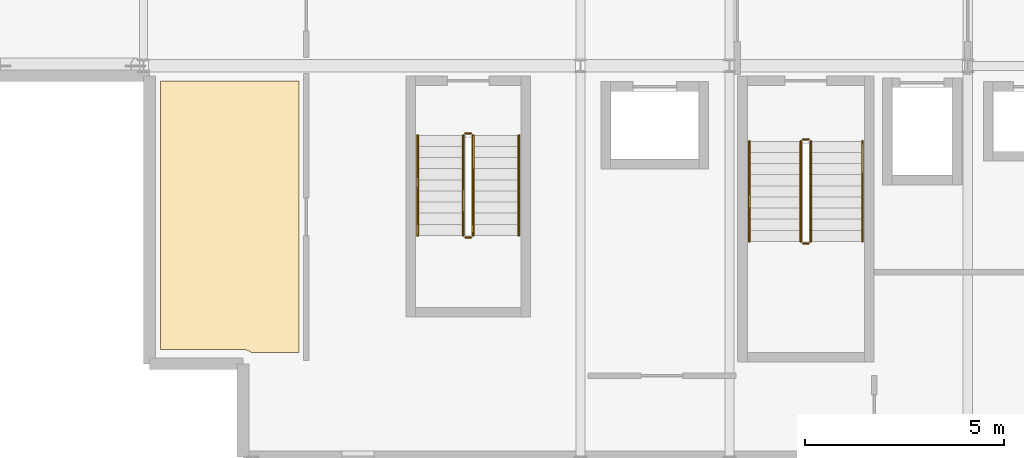
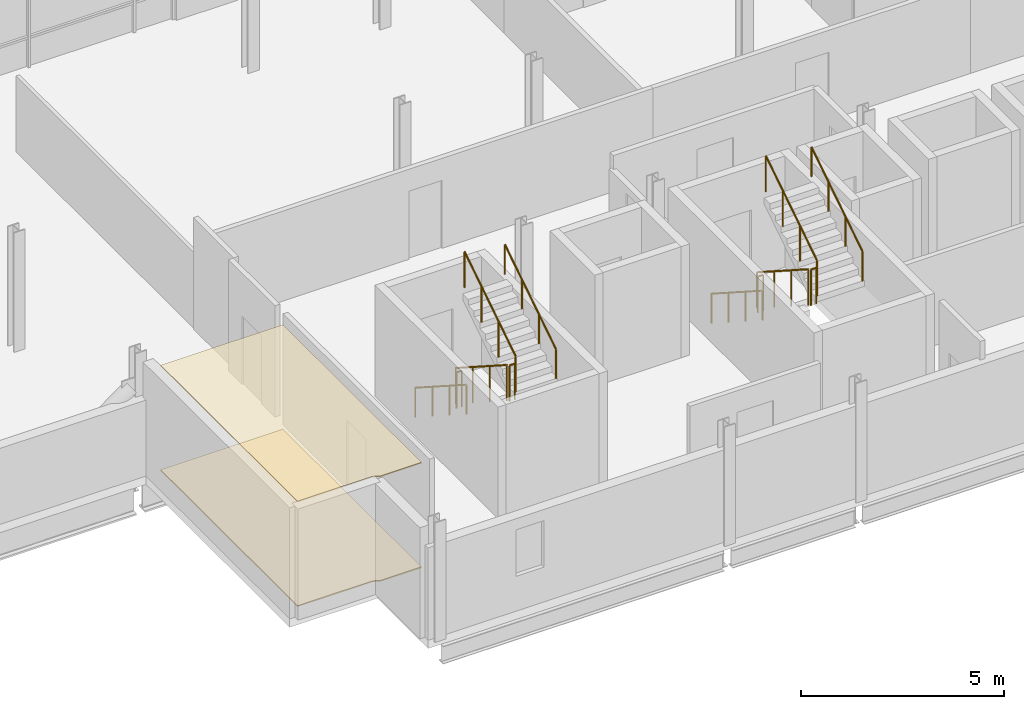
# One storey, part 17 of 18: 12 railings, 2 coverings.
"""IFC4 building model written with IfcOpenShell, lengths in metres."""

from ifc_helpers import new_model, si_unit, direction, frame, origin, origin_2d, place, context, subcontext, project, spatial, polyline, circle, outline, extrude, material, layer, layer_set, type_object, element, save


model = new_model("IFC4")

# Units and contexts
model_context = context("Model", 3, precision=1e-05, world=origin(), true_north=direction((0.0, 1.0)))
body_context = subcontext(model_context, "Body", "Model", "MODEL_VIEW")
ifc_project = project(units=[si_unit("LENGTHUNIT", "METRE"), si_unit("AREAUNIT", "SQUARE_METRE"), si_unit("VOLUMEUNIT", "CUBIC_METRE"), si_unit("PLANEANGLEUNIT", "RADIAN"), si_unit("MASSUNIT", "GRAM", prefix="KILO")], contexts=[model_context])

# Site, building, storey
site_placement = place(None, origin())
site = spatial("IfcSite", under=ifc_project, at=site_placement, CompositionType="ELEMENT")
building_placement = place(site_placement, origin())
building = spatial("IfcBuilding", under=site, at=building_placement, Name="Brevholm Reach", CompositionType="ELEMENT")
storey_placement = place(building_placement, frame((0.0, 0.0, 240.050048828125)))
storey = spatial("IfcBuildingStorey", under=building, at=storey_placement, Name="L73", CompositionType="ELEMENT", Elevation=240.050048828125)

# Coverings
ifc_material_1 = material(Name="Moisture-Resistant Skimmed Gypsum Plasterboard Ceiling", Category="gypsum")
ifc_layer_1 = layer(ifc_material_1, 0.030029296875)
ifc_layer_set_1 = layer_set([ifc_layer_1], Name="Moisture-Resistant Skimmed Gypsum Plasterboard Ceiling")
covering_type_1 = type_object("IfcCoveringType", Name="COV-CLG-GYP", PredefinedType="CEILING", material=ifc_layer_set_1)
covering_1_placement = place(storey_placement, frame((0.0, 0.0, 3.14990234375)))
element("IfcCovering", 1, at=covering_1_placement, inside=storey, type_object=covering_type_1, Name="L73 Suspended Ceiling L73-11", PredefinedType="CEILING", context=body_context, shape_type="SweptSolid", body=[
    extrude(outline(polyline([(31.166015625, 9.6201171875), (31.166015625, 2.780029296875), (29.9736328125, 2.780029296875), (29.94189453125, 2.803466796875), (29.92724609375, 2.81298828125), (29.911865234375, 2.821533203125), (29.8955078125, 2.828125), (29.845703125, 2.845947265625), (29.82470703125, 2.85205078125), (29.802978515625, 2.855712890625), (29.767822265625, 2.859130859375), (29.75, 2.860107421875), (27.679931640625, 2.860107421875), (27.679931640625, 9.6201171875), (31.166015625, 9.6201171875)])), origin(), (0.0, 0.0, 1.0), 0.030029296875),
])
ifc_material_2 = material(Name="Honed Portland-Aggregate Resin Terrazzo Flooring", Category="concrete")
ifc_layer_2 = layer(ifc_material_2, 0.031982421875)
ifc_layer_set_2 = layer_set([ifc_layer_2], Name="Honed Portland-Aggregate Resin Terrazzo Flooring")
covering_type_2 = type_object("IfcCoveringType", Name="COV-FLR-TRZ", PredefinedType="FLOORING", material=ifc_layer_set_2)
covering_2_placement = place(storey_placement, origin())
element("IfcCovering", 2, at=covering_2_placement, inside=storey, type_object=covering_type_2, Name="L73 Floor Finish L73-11", PredefinedType="FLOORING", context=body_context, shape_type="SweptSolid", body=[
    extrude(outline(polyline([(31.166015625, 9.6201171875), (31.166015625, 2.780029296875), (29.9736328125, 2.780029296875), (29.94189453125, 2.803466796875), (29.92724609375, 2.81298828125), (29.911865234375, 2.821533203125), (29.8955078125, 2.828125), (29.845703125, 2.845947265625), (29.82470703125, 2.85205078125), (29.802978515625, 2.855712890625), (29.767822265625, 2.859130859375), (29.75, 2.860107421875), (27.679931640625, 2.860107421875), (27.679931640625, 9.6201171875), (31.166015625, 9.6201171875)])), origin(), (0.0, 0.0, 1.0), 0.031982421875),
])

# Railings
ifc_material_3 = material(Name="Brushed Stainless Steel EN 1.4401 Continuous Handrail", Category="steel")
railing_type_1 = type_object("IfcRailingType", Name="RAL-HND-950", PredefinedType="HANDRAIL", material=ifc_material_3)
railing_1_placement = place(storey_placement, frame((42.5, 8.10009765625, 0.179931640625)))
element("IfcRailing", 3, at=railing_1_placement, inside=storey, type_object=railing_type_1, Name="L73 ST-2 stair handrail 1", PredefinedType="HANDRAIL", context=body_context, shape_type="SweptSolid", body=[
    extrude(circle(Radius=0.02392578125, at=origin_2d()), frame((0.0, 0.0, 0.8857421875), z_axis=(0.0, -0.841162588446, 0.540782303519), x_axis=(1.0, 0.0, 0.0)), (0.0, 0.0, 1.0), 2.995849609375),
    extrude(circle(Radius=0.02099609375, at=origin_2d()), origin(), (0.0, 0.0, 1.0), 0.86181640625),
    extrude(circle(Radius=0.02099609375, at=origin_2d()), frame((0.0, -0.840087890625, 0.5400390625)), (0.0, 0.0, 1.0), 0.86181640625),
    extrude(circle(Radius=0.02099609375, at=origin_2d()), frame((0.0, -1.679931640625, 1.080078125)), (0.0, 0.0, 1.0), 0.86181640625),
    extrude(circle(Radius=0.02099609375, at=origin_2d()), frame((0.0, -2.52001953125, 1.6201171875)), (0.0, 0.0, 1.0), 0.86181640625),
])
railing_2_placement = place(storey_placement, frame((45.35009765625, 5.580078125, 1.97998046875)))
element("IfcRailing", 4, at=railing_2_placement, inside=storey, type_object=railing_type_1, Name="L73 ST-2 stair handrail 2", PredefinedType="HANDRAIL", context=body_context, shape_type="SweptSolid", body=[
    extrude(circle(Radius=0.02392578125, at=origin_2d()), frame((0.0, 0.0, 0.8857421875), z_axis=(0.0, 0.841199657755, 0.540724639528), x_axis=(-1.0, 0.0, 0.0)), (0.0, 0.0, 1.0), 2.995849609375),
    extrude(circle(Radius=0.02099609375, at=origin_2d()), origin(), (0.0, 0.0, 1.0), 0.86181640625),
    extrude(circle(Radius=0.02099609375, at=origin_2d()), frame((0.0, 0.840087890625, 0.5400390625)), (0.0, 0.0, 1.0), 0.86181640625),
    extrude(circle(Radius=0.02099609375, at=origin_2d()), frame((0.0, 1.679931640625, 1.079833984375)), (0.0, 0.0, 1.0), 0.86181640625),
    extrude(circle(Radius=0.02099609375, at=origin_2d()), frame((0.0, 2.52001953125, 1.619873046875)), (0.0, 0.0, 1.0), 0.86181640625),
])
railing_3_placement = place(storey_placement, frame((34.14990234375, 8.25, 0.179931640625)))
element("IfcRailing", 5, at=railing_3_placement, inside=storey, type_object=railing_type_1, Name="L73 ST-3 stair handrail 1", PredefinedType="HANDRAIL", context=body_context, shape_type="SweptSolid", body=[
    extrude(circle(Radius=0.02392578125, at=origin_2d()), frame((0.0, 0.0, 0.8857421875), z_axis=(0.0, -0.841162588446, 0.540782303519), x_axis=(1.0, 0.0, 0.0)), (0.0, 0.0, 1.0), 2.995849609375),
    extrude(circle(Radius=0.02099609375, at=origin_2d()), origin(), (0.0, 0.0, 1.0), 0.86181640625),
    extrude(circle(Radius=0.02099609375, at=origin_2d()), frame((0.0, -0.840087890625, 0.5400390625)), (0.0, 0.0, 1.0), 0.86181640625),
    extrude(circle(Radius=0.02099609375, at=origin_2d()), frame((0.0, -1.679931640625, 1.080078125)), (0.0, 0.0, 1.0), 0.86181640625),
    extrude(circle(Radius=0.02099609375, at=origin_2d()), frame((0.0, -2.52001953125, 1.6201171875)), (0.0, 0.0, 1.0), 0.86181640625),
])
railing_4_placement = place(storey_placement, frame((36.699951171875, 5.72998046875, 1.97998046875)))
element("IfcRailing", 6, at=railing_4_placement, inside=storey, type_object=railing_type_1, Name="L73 ST-3 stair handrail 2", PredefinedType="HANDRAIL", context=body_context, shape_type="SweptSolid", body=[
    extrude(circle(Radius=0.02392578125, at=origin_2d()), frame((0.0, 0.0, 0.8857421875), z_axis=(0.0, 0.841199657755, 0.540724639528), x_axis=(-1.0, 0.0, 0.0)), (0.0, 0.0, 1.0), 2.995849609375),
    extrude(circle(Radius=0.02099609375, at=origin_2d()), origin(), (0.0, 0.0, 1.0), 0.86181640625),
    extrude(circle(Radius=0.02099609375, at=origin_2d()), frame((0.0, 0.840087890625, 0.5400390625)), (0.0, 0.0, 1.0), 0.86181640625),
    extrude(circle(Radius=0.02099609375, at=origin_2d()), frame((0.0, 1.679931640625, 1.079833984375)), (0.0, 0.0, 1.0), 0.86181640625),
    extrude(circle(Radius=0.02099609375, at=origin_2d()), frame((0.0, 2.52001953125, 1.619873046875)), (0.0, 0.0, 1.0), 0.86181640625),
])
ifc_material_4 = material(Name="Painted Tubular Galvanised Steel S275JR Stair Guard", Category="steel")
railing_type_2 = type_object("IfcRailingType", Name="RAL-STG-1120", PredefinedType="BALUSTRADE", material=ifc_material_4)
railing_5_placement = place(storey_placement, frame((43.800048828125, 8.10009765625, 0.179931640625)))
element("IfcRailing", 7, at=railing_5_placement, inside=storey, type_object=railing_type_2, Name="L73 ST-2 stair guard 1", PredefinedType="BALUSTRADE", context=body_context, shape_type="SweptSolid", body=[
    extrude(circle(Radius=0.02392578125, at=origin_2d()), frame((0.0, 0.0, 1.076171875), z_axis=(0.0, -0.841162588446, 0.540782303519), x_axis=(1.0, 0.0, 0.0)), (0.0, 0.0, 1.0), 2.995849609375),
    extrude(circle(Radius=0.02099609375, at=origin_2d()), origin(), (0.0, 0.0, 1.0), 1.052001953125),
    extrude(circle(Radius=0.02099609375, at=origin_2d()), frame((0.0, -0.840087890625, 0.5400390625)), (0.0, 0.0, 1.0), 1.052001953125),
    extrude(circle(Radius=0.02099609375, at=origin_2d()), frame((0.0, -1.679931640625, 1.080078125)), (0.0, 0.0, 1.0), 1.052001953125),
    extrude(circle(Radius=0.02099609375, at=origin_2d()), frame((0.0, -2.52001953125, 1.6201171875)), (0.0, 0.0, 1.0), 1.052001953125),
])
railing_6_placement = place(storey_placement, frame((43.85009765625, 5.530029296875, 1.800048828125)))
element("IfcRailing", 8, at=railing_6_placement, inside=storey, type_object=railing_type_2, Name="L73 ST-2 stair guard 2", PredefinedType="BALUSTRADE", context=body_context, shape_type="SweptSolid", body=[
    extrude(circle(Radius=0.02392578125, at=origin_2d()), frame((0.0, 0.0, 1.076171875), z_axis=(1.0, 0.0, 0.0), x_axis=(0.0, 1.0, 0.0)), (0.0, 0.0, 1.0), 0.14990234375),
    extrude(circle(Radius=0.02099609375, at=origin_2d()), origin(), (0.0, 0.0, 1.0), 1.052001953125),
    extrude(circle(Radius=0.02099609375, at=origin_2d()), frame((0.14990234375, 0.0, 0.0)), (0.0, 0.0, 1.0), 1.052001953125),
])
railing_7_placement = place(storey_placement, frame((44.050048828125, 5.580078125, 1.97998046875)))
element("IfcRailing", 9, at=railing_7_placement, inside=storey, type_object=railing_type_2, Name="L73 ST-2 stair guard 3", PredefinedType="BALUSTRADE", context=body_context, shape_type="SweptSolid", body=[
    extrude(circle(Radius=0.02392578125, at=origin_2d()), frame((0.0, 0.0, 1.076171875), z_axis=(0.0, 0.841199657755, 0.540724639528), x_axis=(-1.0, 0.0, 0.0)), (0.0, 0.0, 1.0), 2.995849609375),
    extrude(circle(Radius=0.02099609375, at=origin_2d()), origin(), (0.0, 0.0, 1.0), 1.052001953125),
    extrude(circle(Radius=0.02099609375, at=origin_2d()), frame((0.0, 0.840087890625, 0.5400390625)), (0.0, 0.0, 1.0), 1.052001953125),
    extrude(circle(Radius=0.02099609375, at=origin_2d()), frame((0.0, 1.679931640625, 1.079833984375)), (0.0, 0.0, 1.0), 1.052001953125),
    extrude(circle(Radius=0.02099609375, at=origin_2d()), frame((0.0, 2.52001953125, 1.619873046875)), (0.0, 0.0, 1.0), 1.052001953125),
])
railing_8_placement = place(storey_placement, frame((43.85009765625, 8.14990234375, 0.0)))
element("IfcRailing", 10, at=railing_8_placement, inside=storey, type_object=railing_type_2, Name="L73 ST-2 stair guard 4", PredefinedType="BALUSTRADE", context=body_context, shape_type="SweptSolid", body=[
    extrude(circle(Radius=0.02392578125, at=origin_2d()), frame((0.0, 0.0, 1.076171875), z_axis=(1.0, 0.0, 0.0), x_axis=(0.0, 1.0, 0.0)), (0.0, 0.0, 1.0), 0.14990234375),
    extrude(circle(Radius=0.02099609375, at=origin_2d()), origin(), (0.0, 0.0, 1.0), 1.052001953125),
    extrude(circle(Radius=0.02099609375, at=origin_2d()), frame((0.14990234375, 0.0, 0.0)), (0.0, 0.0, 1.0), 1.052001953125),
])
railing_9_placement = place(storey_placement, frame((35.300048828125, 8.25, 0.179931640625)))
element("IfcRailing", 11, at=railing_9_placement, inside=storey, type_object=railing_type_2, Name="L73 ST-3 stair guard 1", PredefinedType="BALUSTRADE", context=body_context, shape_type="SweptSolid", body=[
    extrude(circle(Radius=0.02392578125, at=origin_2d()), frame((0.0, 0.0, 1.076171875), z_axis=(0.0, -0.841162588446, 0.540782303519), x_axis=(1.0, 0.0, 0.0)), (0.0, 0.0, 1.0), 2.995849609375),
    extrude(circle(Radius=0.02099609375, at=origin_2d()), origin(), (0.0, 0.0, 1.0), 1.052001953125),
    extrude(circle(Radius=0.02099609375, at=origin_2d()), frame((0.0, -0.840087890625, 0.5400390625)), (0.0, 0.0, 1.0), 1.052001953125),
    extrude(circle(Radius=0.02099609375, at=origin_2d()), frame((0.0, -1.679931640625, 1.080078125)), (0.0, 0.0, 1.0), 1.052001953125),
    extrude(circle(Radius=0.02099609375, at=origin_2d()), frame((0.0, -2.52001953125, 1.6201171875)), (0.0, 0.0, 1.0), 1.052001953125),
])
railing_10_placement = place(storey_placement, frame((35.35009765625, 5.679931640625, 1.800048828125)))
element("IfcRailing", 12, at=railing_10_placement, inside=storey, type_object=railing_type_2, Name="L73 ST-3 stair guard 2", PredefinedType="BALUSTRADE", context=body_context, shape_type="SweptSolid", body=[
    extrude(circle(Radius=0.02392578125, at=origin_2d()), frame((0.0, 0.0, 1.076171875), z_axis=(1.0, 0.0, 0.0), x_axis=(0.0, 1.0, 0.0)), (0.0, 0.0, 1.0), 0.14990234375),
    extrude(circle(Radius=0.02099609375, at=origin_2d()), origin(), (0.0, 0.0, 1.0), 1.052001953125),
    extrude(circle(Radius=0.02099609375, at=origin_2d()), frame((0.14990234375, 0.0, 0.0)), (0.0, 0.0, 1.0), 1.052001953125),
])
railing_11_placement = place(storey_placement, frame((35.550048828125, 5.72998046875, 1.97998046875)))
element("IfcRailing", 13, at=railing_11_placement, inside=storey, type_object=railing_type_2, Name="L73 ST-3 stair guard 3", PredefinedType="BALUSTRADE", context=body_context, shape_type="SweptSolid", body=[
    extrude(circle(Radius=0.02392578125, at=origin_2d()), frame((0.0, 0.0, 1.076171875), z_axis=(0.0, 0.841199657755, 0.540724639528), x_axis=(-1.0, 0.0, 0.0)), (0.0, 0.0, 1.0), 2.995849609375),
    extrude(circle(Radius=0.02099609375, at=origin_2d()), origin(), (0.0, 0.0, 1.0), 1.052001953125),
    extrude(circle(Radius=0.02099609375, at=origin_2d()), frame((0.0, 0.840087890625, 0.5400390625)), (0.0, 0.0, 1.0), 1.052001953125),
    extrude(circle(Radius=0.02099609375, at=origin_2d()), frame((0.0, 1.679931640625, 1.079833984375)), (0.0, 0.0, 1.0), 1.052001953125),
    extrude(circle(Radius=0.02099609375, at=origin_2d()), frame((0.0, 2.52001953125, 1.619873046875)), (0.0, 0.0, 1.0), 1.052001953125),
])
railing_12_placement = place(storey_placement, frame((35.35009765625, 8.300048828125, 0.0)))
element("IfcRailing", 14, at=railing_12_placement, inside=storey, type_object=railing_type_2, Name="L73 ST-3 stair guard 4", PredefinedType="BALUSTRADE", context=body_context, shape_type="SweptSolid", body=[
    extrude(circle(Radius=0.02392578125, at=origin_2d()), frame((0.0, 0.0, 1.076171875), z_axis=(1.0, 0.0, 0.0), x_axis=(0.0, 1.0, 0.0)), (0.0, 0.0, 1.0), 0.14990234375),
    extrude(circle(Radius=0.02099609375, at=origin_2d()), origin(), (0.0, 0.0, 1.0), 1.052001953125),
    extrude(circle(Radius=0.02099609375, at=origin_2d()), frame((0.14990234375, 0.0, 0.0)), (0.0, 0.0, 1.0), 1.052001953125),
])

save(model, "model.ifc")
